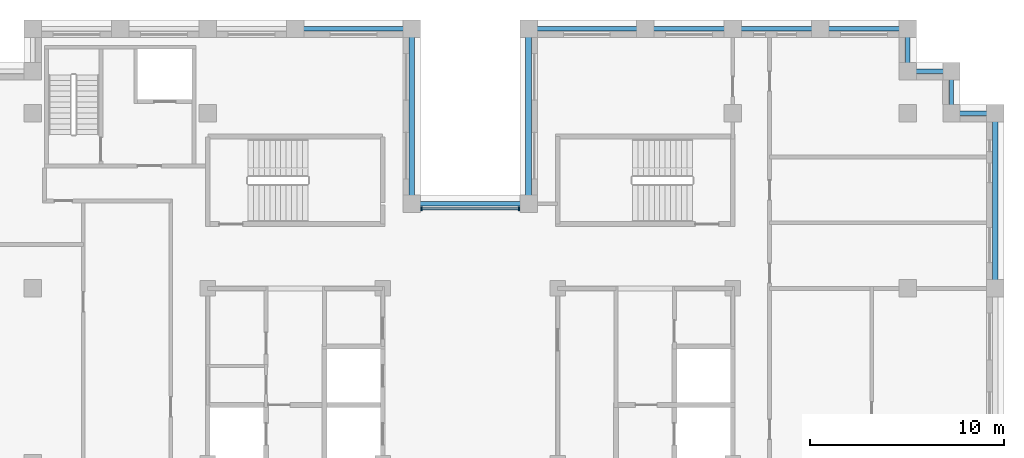
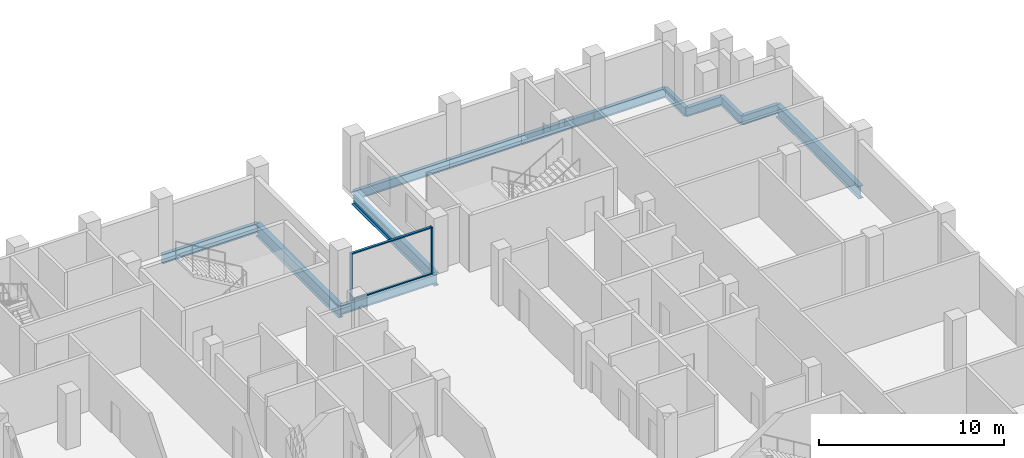
# One storey, part 4 of 13: 13 beams, 4 members, 1 element without a shape of its own.
"""IFC4 building model written with IfcOpenShell, lengths in metres."""

import ifcopenshell
import ifcopenshell.guid

model = None  # the IFC model being written
_history = None  # IfcOwnerHistory: only IFC2X3 demands one
_inside = {}  # id of a spatial element -> (the spatial element, [elements in it])
_under = {}  # id of a project, library or spatial element -> (it, [spatial elements below it])
_declared = {}  # id of a project -> (the project, [libraries it declares])
_typed = {}  # id of a type object -> (the type object, [elements of that type])
_made_of = {}  # id of a material, layer set ... -> (it, [elements and type objects made of it])


def new_model(schema):
    """Start an empty IFC model of exactly this schema.

    Asked for "IFC4X3", IfcOpenShell would pick the latest addendum, in which some entities
    have other attributes; the version numbers below select the first issue.
    IFC2X3 requires an IfcOwnerHistory on every rooted entity: one is made here for all.
    """
    global model, _history
    if schema == "IFC4X3":
        model = ifcopenshell.file(schema_version=(4, 3, 0, 0))
    else:
        model = ifcopenshell.file(schema=schema)
    _inside.clear()
    _under.clear()
    _declared.clear()
    _typed.clear()
    _made_of.clear()
    _history = None
    if model.schema == "IFC2X3":
        org = make("IfcOrganization", Name="unknown")
        user = make(
            "IfcPersonAndOrganization",
            ThePerson=make("IfcPerson", FamilyName="unknown"),
            TheOrganization=org,
        )
        app = make(
            "IfcApplication",
            ApplicationDeveloper=org,
            Version="unknown",
            ApplicationFullName="unknown",
            ApplicationIdentifier="unknown",
        )
        _history = make(
            "IfcOwnerHistory",
            OwningUser=user,
            OwningApplication=app,
            ChangeAction="ADDED",
            CreationDate=0,
        )
    return model


def make(cls, **values):
    """One entity of the class cls with the attributes given. An attribute that is None is left unset."""
    return model.create_entity(
        cls, **{name: value for name, value in values.items() if value is not None}
    )


def rooted(cls, **values):
    """An entity with a GlobalId (a new one), such as an element, a storey or a relation."""
    return make(cls, GlobalId=ifcopenshell.guid.new(), OwnerHistory=_history, **values)


def si_unit(unit_type, name, prefix=None):
    """IfcSIUnit, for example si_unit("LENGTHUNIT", "METRE", prefix="MILLI")."""
    return make("IfcSIUnit", UnitType=unit_type, Prefix=prefix, Name=name)


def assignment(units):
    """IfcUnitAssignment: the units of a project."""
    return None if units is None else make("IfcUnitAssignment", Units=units)


def point(xyz):
    """IfcCartesianPoint."""
    return None if xyz is None else make("IfcCartesianPoint", Coordinates=xyz)


def direction(xyz):
    """IfcDirection."""
    return None if xyz is None else make("IfcDirection", DirectionRatios=xyz)


def frame(location, z_axis=None, x_axis=None):
    """IfcAxis2Placement3D, a coordinate frame: its origin and axes. An axis left out is left unset."""
    return make(
        "IfcAxis2Placement3D",
        Location=point(location),
        Axis=direction(z_axis),
        RefDirection=direction(x_axis),
    )


def frame_2d(location, x_axis=None):
    """IfcAxis2Placement2D, a coordinate frame in the plane: its origin and x axis."""
    return make(
        "IfcAxis2Placement2D", Location=point(location), RefDirection=direction(x_axis)
    )


def origin():
    """The frame at (0, 0, 0) with its axes left unset."""
    return frame((0.0, 0.0, 0.0))


def origin_2d():
    """The frame at (0, 0) in the plane with its x axis left unset."""
    return frame_2d((0.0, 0.0))


def place(relative_to, where):
    """IfcLocalPlacement: puts the frame where relative to a parent placement (None: the world)."""
    return make(
        "IfcLocalPlacement", PlacementRelTo=relative_to, RelativePlacement=where
    )


def context(
    kind, dimensions, precision=None, world=None, true_north=None, identifier=None
):
    """IfcGeometricRepresentationContext, for example the 3D "Model" context."""
    return make(
        "IfcGeometricRepresentationContext",
        ContextIdentifier=identifier,
        ContextType=kind,
        CoordinateSpaceDimension=dimensions,
        Precision=precision,
        WorldCoordinateSystem=world,
        TrueNorth=true_north,
    )


def subcontext(parent, identifier, kind, view, scale=None):
    """IfcGeometricRepresentationSubContext, for example "Body" below "Model"."""
    return make(
        "IfcGeometricRepresentationSubContext",
        ContextIdentifier=identifier,
        ContextType=kind,
        ParentContext=parent,
        TargetScale=scale,
        TargetView=view,
    )


def project(units=None, contexts=None):
    """IfcProject with its units and contexts."""
    return rooted(
        "IfcProject",
        Name="project",
        RepresentationContexts=contexts,
        UnitsInContext=assignment(units),
    )


def spatial(cls, under=None, at=None, **own):
    """A site, building, storey or space (cls), placed at a placement, below another one or the project."""
    s = rooted(cls, ObjectPlacement=at, **own)
    if under is not None:
        _under.setdefault(under.id(), (under, []))[1].append(s)
    return s


def profile(cls, at=None, kind="AREA", **sizes):
    """A parametric profile (cls). Its sizes go by their IFC names, for example OverallWidth=200.0."""
    return make(cls, ProfileType=kind, Position=at, **sizes)


def rectangle(**sizes):
    """IfcRectangleProfileDef."""
    return profile("IfcRectangleProfileDef", **sizes)


def i_section(**sizes):
    """IfcIShapeProfileDef."""
    return profile("IfcIShapeProfileDef", **sizes)


def extrude(swept, where, along, depth):
    """IfcExtrudedAreaSolid: the profile swept, set in the frame where, extruded along a direction by depth."""
    return make(
        "IfcExtrudedAreaSolid",
        SweptArea=swept,
        Position=where,
        ExtrudedDirection=direction(along),
        Depth=depth,
    )


def shape(context_of_items, identifier, shape_type, items):
    """IfcShapeRepresentation: the items that make up one representation, for example the "Body"."""
    return make(
        "IfcShapeRepresentation",
        ContextOfItems=context_of_items,
        RepresentationIdentifier=identifier,
        RepresentationType=shape_type,
        Items=items,
    )


def material(Name=None, Category=None):
    """IfcMaterial."""
    return make("IfcMaterial", Name=Name, Category=Category)


def layer(
    of_material, thickness, ventilated=None, Name=None, Category=None, Priority=None
):
    """IfcMaterialLayer: one layer of a wall or slab, of a material (None: an air gap)."""
    return make(
        "IfcMaterialLayer",
        Material=of_material,
        LayerThickness=thickness,
        IsVentilated=ventilated,
        Name=Name,
        Category=Category,
        Priority=Priority,
    )


def layer_set(layers, Name=None):
    """IfcMaterialLayerSet."""
    return make("IfcMaterialLayerSet", MaterialLayers=layers, LayerSetName=Name)


def material_profile(
    of_material, cross_section, Name=None, Category=None, Priority=None
):
    """IfcMaterialProfile: a cross section and its material."""
    return make(
        "IfcMaterialProfile",
        Name=Name,
        Material=of_material,
        Profile=cross_section,
        Priority=Priority,
        Category=Category,
    )


def profile_set(profiles, Name=None, composite=None):
    """IfcMaterialProfileSet."""
    return make(
        "IfcMaterialProfileSet",
        Name=Name,
        MaterialProfiles=profiles,
        CompositeProfile=composite,
    )


def made_of(thing, what):
    """Note that an element or type object is made of a material, layer set ...; save() writes the relation."""
    if what is not None:
        _made_of.setdefault(what.id(), (what, []))[1].append(thing)
    return thing


def type_object(cls, material=None, **own):
    """A type object (cls), such as IfcWallType, which elements share."""
    return made_of(rooted(cls, **own), material)


def element(
    cls,
    number,
    at=None,
    inside=None,
    cuts=None,
    type_object=None,
    material=None,
    context=None,
    identifier="Body",
    shape_type=None,
    held_by="IfcProductDefinitionShape",
    body=None,
    shapes=None,
    **own,
):
    """One element of the class cls, such as IfcWall. Its Tag is "e" and its number.

    at: its placement. inside: the storey or other place that contains it. cuts: it is an
    opening in that element (IfcRelVoidsElement). A single representation is given by context,
    identifier, shape_type and body (its items); several are given by shapes. held_by: the class
    of the entity that holds the representations. save() writes the other relations.
    """
    e = rooted(cls, Tag="e%d" % number, ObjectPlacement=at, **own)
    if body is not None:
        shapes = [shape(context, identifier, shape_type, body)]
    if shapes is not None:
        e.Representation = make(held_by, Representations=shapes)
    if inside is not None:
        _inside.setdefault(inside.id(), (inside, []))[1].append(e)
    if cuts is not None:
        rooted(
            "IfcRelVoidsElement", RelatingBuildingElement=cuts, RelatedOpeningElement=e
        )
    if type_object is not None:
        _typed.setdefault(type_object.id(), (type_object, []))[1].append(e)
    return made_of(e, material)


def aggregate(whole, parts):
    """IfcRelAggregates: a whole, such as a stair, and the parts it consists of."""
    return rooted("IfcRelAggregates", RelatingObject=whole, RelatedObjects=parts)


def save(model, path):
    """Write the relations noted so far, then the file.

    IfcRelAggregates (storeys below a building ...), IfcRelContainedInSpatialStructure (elements
    in a storey), IfcRelDefinesByType, IfcRelAssociatesMaterial and IfcRelDeclares: one each for
    every whole, place, type object, material and project.
    """
    for whole, parts in _under.values():
        aggregate(whole, parts)
    for where, things in _inside.values():
        rooted(
            "IfcRelContainedInSpatialStructure",
            RelatedElements=things,
            RelatingStructure=where,
        )
    for kind, things in _typed.values():
        rooted("IfcRelDefinesByType", RelatedObjects=things, RelatingType=kind)
    for what, things in _made_of.values():
        rooted("IfcRelAssociatesMaterial", RelatedObjects=things, RelatingMaterial=what)
    for by, libraries in _declared.values():
        rooted("IfcRelDeclares", RelatingContext=by, RelatedDefinitions=libraries)
    model.write(path)


model = new_model("IFC4")

# Units and contexts
model_context = context("Model", 3, precision=1e-05, world=origin(), true_north=direction((0.0, 1.0)))
body_context = subcontext(model_context, "Body", "Model", "MODEL_VIEW")
ifc_project = project(units=[si_unit("LENGTHUNIT", "METRE"), si_unit("AREAUNIT", "SQUARE_METRE"), si_unit("VOLUMEUNIT", "CUBIC_METRE"), si_unit("PLANEANGLEUNIT", "RADIAN"), si_unit("MASSUNIT", "GRAM", prefix="KILO")], contexts=[model_context])

# Site, building, storey
site_placement = place(None, origin())
site = spatial("IfcSite", under=ifc_project, at=site_placement, CompositionType="ELEMENT")
building_placement = place(site_placement, origin())
building = spatial("IfcBuilding", under=site, at=building_placement, Name="Corbelhall Arena Tower", CompositionType="ELEMENT")
storey_placement = place(building_placement, frame((0.0, 0.0, 262.0)))
storey = spatial("IfcBuildingStorey", under=building, at=storey_placement, Name="L56", CompositionType="ELEMENT", Elevation=262.0)

# Curtain wall, members
ifc_material_1 = material(Name="Aluminium black anodised", Category="aluminium")
ifc_layer = layer(ifc_material_1, 0.199951171875)
ifc_layer_set = layer_set([ifc_layer], Name="EV-CW1 Slot back wall")
curtain_wall_type = type_object("IfcCurtainWallType", Name="EV-CW1 Slot back wall", PredefinedType="NOTDEFINED", material=ifc_layer_set)
curtain_wall_placement = place(storey_placement, origin())
curtain_wall = element("IfcCurtainWall", 1, at=curtain_wall_placement, inside=storey, type_object=curtain_wall_type, Name="Curtain wall CW1", PredefinedType="NOTDEFINED")
ifc_material_profile_1 = material_profile(ifc_material_1, rectangle(XDim=0.199951171875, YDim=0.074951171875, at=origin_2d()))
ifc_profile_set_1 = profile_set([ifc_material_profile_1], Name="Aluminium black anodised")
member_type_1 = type_object("IfcMemberType", Name="EV-CW1-MULLION", PredefinedType="MULLION", material=ifc_profile_set_1)
member_1_placement = place(storey_placement, frame((2.512451171875, 13.10009765625, 0.0), z_axis=(0.0, 0.0, 1.0), x_axis=(0.0, -1.0, 0.0)))
member_1 = element("IfcMember", 2, at=member_1_placement, type_object=member_type_1, Name="CW1 mullion 1", PredefinedType="MULLION", context=body_context, shape_type="SweptSolid", body=[
    extrude(rectangle(XDim=0.199951171875, YDim=0.074951171875, at=origin_2d()), origin(), (0.0, 0.0, 1.0), 3.1201171875),
])
member_2_placement = place(storey_placement, frame((-2.512451171875, 13.10009765625, 0.0), z_axis=(0.0, 0.0, 1.0), x_axis=(0.0, -1.0, 0.0)))
member_2 = element("IfcMember", 3, at=member_2_placement, type_object=member_type_1, Name="CW1 mullion 2", PredefinedType="MULLION", context=body_context, shape_type="SweptSolid", body=[
    extrude(rectangle(XDim=0.199951171875, YDim=0.074951171875, at=origin_2d()), origin(), (0.0, 0.0, 1.0), 3.1201171875),
])
ifc_material_profile_2 = material_profile(ifc_material_1, rectangle(XDim=0.14990234375, YDim=0.074951171875, at=origin_2d()))
ifc_profile_set_2 = profile_set([ifc_material_profile_2], Name="Aluminium black anodised")
member_type_2 = type_object("IfcMemberType", Name="EV-CW1-TRANSOM", PredefinedType="USERDEFINED", material=ifc_profile_set_2)
member_3_placement = place(storey_placement, frame((2.47509765625, 13.10009765625, 0.03759765625), z_axis=(-1.0, 0.0, 0.0), x_axis=(0.0, -1.0, 0.0)))
member_3 = element("IfcMember", 4, at=member_3_placement, type_object=member_type_2, Name="CW1 transom 1.1", ObjectType="transom", PredefinedType="USERDEFINED", context=body_context, shape_type="SweptSolid", body=[
    extrude(rectangle(XDim=0.14990234375, YDim=0.074951171875, at=origin_2d()), origin(), (0.0, 0.0, 1.0), 4.9501953125),
])
member_4_placement = place(storey_placement, frame((2.47509765625, 13.10009765625, 3.08251953125), z_axis=(-1.0, 0.0, 0.0), x_axis=(0.0, -1.0, 0.0)))
member_4 = element("IfcMember", 5, at=member_4_placement, type_object=member_type_2, Name="CW1 transom 1.2", ObjectType="transom", PredefinedType="USERDEFINED", context=body_context, shape_type="SweptSolid", body=[
    extrude(rectangle(XDim=0.14990234375, YDim=0.074951171875, at=origin_2d()), origin(), (0.0, 0.0, 1.0), 4.9501953125),
])
aggregate(curtain_wall, [member_1, member_2, member_3, member_4])

# Beams
ifc_material_2 = material(Name="Steel ASTM A992 Gr50", Category="steel")
ifc_material_profile_3 = material_profile(ifc_material_2, i_section(OverallWidth=0.227783203125, OverallDepth=0.60205078125, WebThickness=0.010498046875, FlangeThickness=0.014892578125, at=origin_2d()))
ifc_profile_set_3 = profile_set([ifc_material_profile_3], Name="Steel ASTM A992 Gr50")
beam_type_1 = type_object("IfcBeamType", Name="ST-SPANDREL-W24x68", PredefinedType="SPANDREL", material=ifc_profile_set_3)
beam_1_placement = place(storey_placement, frame((3.0, 22.35009765625, -0.5810546875), z_axis=(1.0, 0.0, 0.0), x_axis=(0.0, 1.0, 0.0)))
element("IfcBeam", 6, at=beam_1_placement, inside=storey, type_object=beam_type_1, Name="Beam SP 6", PredefinedType="SPANDREL", context=body_context, shape_type="SweptSolid", body=[
    extrude(i_section(OverallWidth=0.227783203125, OverallDepth=0.60205078125, WebThickness=0.010498046875, FlangeThickness=0.014892578125, at=origin_2d()), origin(), (0.0, 0.0, 1.0), 6.0),
])
for number, where, z_axis, x_axis, name in (
    (7, (9.0, 22.35009765625, -0.5810546875), (1.0, 0.0, 0.0), (0.0, 1.0, 0.0), "Beam SP 7"),
    (8, (13.5, 22.35009765625, -0.5810546875), (1.0, 0.0, 0.0), (0.0, 1.0, 0.0), "Beam SP 8"),
    (9, (18.0, 22.35009765625, -0.5810546875), (1.0, 0.0, 0.0), (0.0, 1.0, 0.0), "Beam SP 9"),
):
    element("IfcBeam", number, at=place(storey_placement, frame(where, z_axis=z_axis, x_axis=x_axis)), inside=storey, type_object=beam_type_1, Name=name, PredefinedType="SPANDREL", context=body_context, shape_type="SweptSolid", body=[
        extrude(i_section(OverallWidth=0.227783203125, OverallDepth=0.60205078125, WebThickness=0.010498046875, FlangeThickness=0.014892578125, at=origin_2d()), origin(), (0.0, 0.0, 1.0), 4.5),
    ])
beam_2_placement = place(storey_placement, frame((22.5, 22.35009765625, -0.5810546875), z_axis=(0.0, -1.0, 0.0), x_axis=(1.0, 0.0, 0.0)))
element("IfcBeam", 10, at=beam_2_placement, inside=storey, type_object=beam_type_1, Name="Beam SP 10", PredefinedType="SPANDREL", context=body_context, shape_type="SweptSolid", body=[
    extrude(i_section(OverallWidth=0.227783203125, OverallDepth=0.60205078125, WebThickness=0.010498046875, FlangeThickness=0.014892578125, at=origin_2d()), origin(), (0.0, 0.0, 1.0), 2.175048828125),
])
for number, where, z_axis, x_axis, name in (
    (11, (-9.0, 22.35009765625, -0.5810546875), (1.0, 0.0, 0.0), (0.0, 1.0, 0.0), "Beam SP 12"),
    (12, (-3.0, 13.35009765625, -0.5810546875), (1.0, 0.0, 0.0), (0.0, 1.0, 0.0), "Beam SP 32"),
):
    element("IfcBeam", number, at=place(storey_placement, frame(where, z_axis=z_axis, x_axis=x_axis)), inside=storey, type_object=beam_type_1, Name=name, PredefinedType="SPANDREL", context=body_context, shape_type="SweptSolid", body=[
        extrude(i_section(OverallWidth=0.227783203125, OverallDepth=0.60205078125, WebThickness=0.010498046875, FlangeThickness=0.014892578125, at=origin_2d()), origin(), (0.0, 0.0, 1.0), 6.0),
    ])
beam_3_placement = place(storey_placement, frame((22.5, 20.175048828125, -0.5810546875), z_axis=(1.0, 0.0, 0.0), x_axis=(0.0, 1.0, 0.0)))
element("IfcBeam", 13, at=beam_3_placement, inside=storey, type_object=beam_type_1, Name="Beam SP 35", PredefinedType="SPANDREL", context=body_context, shape_type="SweptSolid", body=[
    extrude(i_section(OverallWidth=0.227783203125, OverallDepth=0.60205078125, WebThickness=0.010498046875, FlangeThickness=0.014892578125, at=origin_2d()), origin(), (0.0, 0.0, 1.0), 2.25),
])
beam_4_placement = place(storey_placement, frame((24.75, 20.175048828125, -0.5810546875), z_axis=(0.0, -1.0, 0.0), x_axis=(1.0, 0.0, 0.0)))
element("IfcBeam", 14, at=beam_4_placement, inside=storey, type_object=beam_type_1, Name="Beam SP 36", PredefinedType="SPANDREL", context=body_context, shape_type="SweptSolid", body=[
    extrude(i_section(OverallWidth=0.227783203125, OverallDepth=0.60205078125, WebThickness=0.010498046875, FlangeThickness=0.014892578125, at=origin_2d()), origin(), (0.0, 0.0, 1.0), 2.175048828125),
])
beam_5_placement = place(storey_placement, frame((24.75, 18.0, -0.5810546875), z_axis=(1.0, 0.0, 0.0), x_axis=(0.0, 1.0, 0.0)))
element("IfcBeam", 15, at=beam_5_placement, inside=storey, type_object=beam_type_1, Name="Beam SP 37", PredefinedType="SPANDREL", context=body_context, shape_type="SweptSolid", body=[
    extrude(i_section(OverallWidth=0.227783203125, OverallDepth=0.60205078125, WebThickness=0.010498046875, FlangeThickness=0.014892578125, at=origin_2d()), origin(), (0.0, 0.0, 1.0), 2.25),
])
ifc_material_profile_4 = material_profile(ifc_material_2, i_section(OverallWidth=0.2919921875, OverallDepth=0.845703125, WebThickness=0.015380859375, FlangeThickness=0.0244140625, at=origin_2d()))
ifc_profile_set_4 = profile_set([ifc_material_profile_4], Name="Steel ASTM A992 Gr50")
beam_type_2 = type_object("IfcBeamType", Name="ST-SPANDREL-W33x141", PredefinedType="SPANDREL", material=ifc_profile_set_4)
for number, where, z_axis, x_axis, name in (
    (16, (27.0, 18.0, -0.702880859375), (0.0, -1.0, 0.0), (1.0, 0.0, 0.0), "Beam SP 3"),
    (17, (-3.0, 22.35009765625, -0.702880859375), (0.0, -1.0, 0.0), (1.0, 0.0, 0.0), "Beam SP 11"),
    (18, (3.0, 13.35009765625, -0.702880859375), (0.0, 1.0, 0.0), (-1.0, 0.0, 0.0), "Beam SP 31"),
):
    element("IfcBeam", number, at=place(storey_placement, frame(where, z_axis=z_axis, x_axis=x_axis)), inside=storey, type_object=beam_type_2, Name=name, PredefinedType="SPANDREL", context=body_context, shape_type="SweptSolid", body=[
        extrude(i_section(OverallWidth=0.2919921875, OverallDepth=0.845703125, WebThickness=0.015380859375, FlangeThickness=0.0244140625, at=origin_2d()), origin(), (0.0, 0.0, 1.0), 9.0),
    ])

save(model, "model.ifc")
